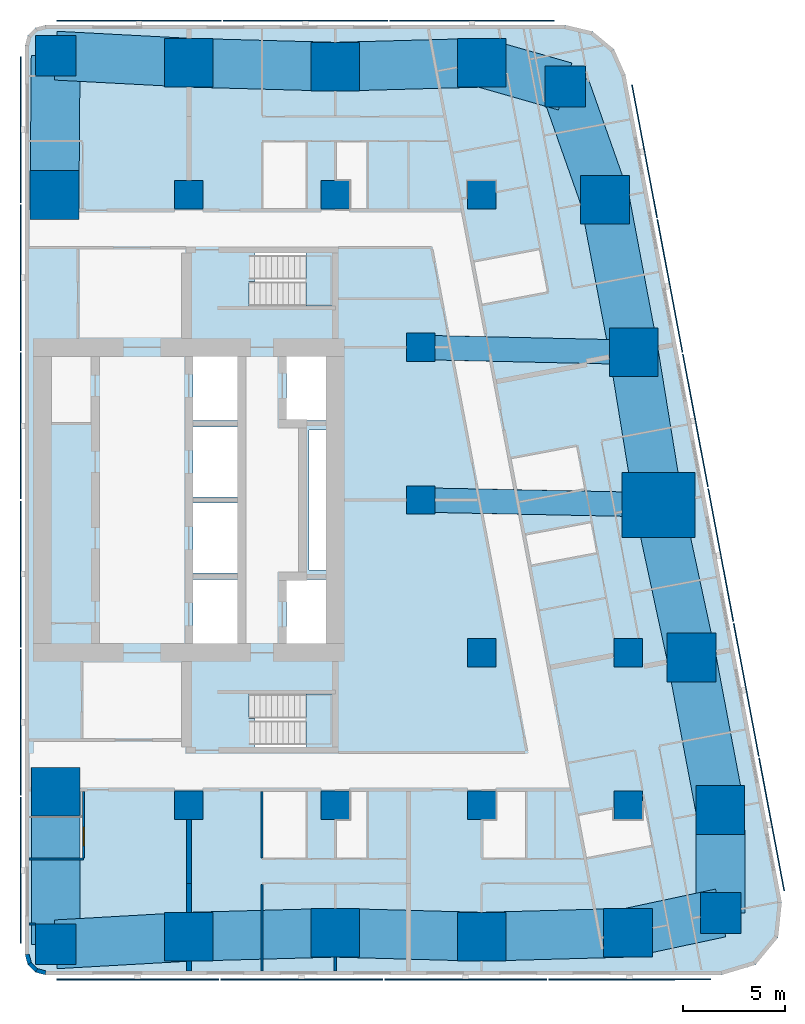
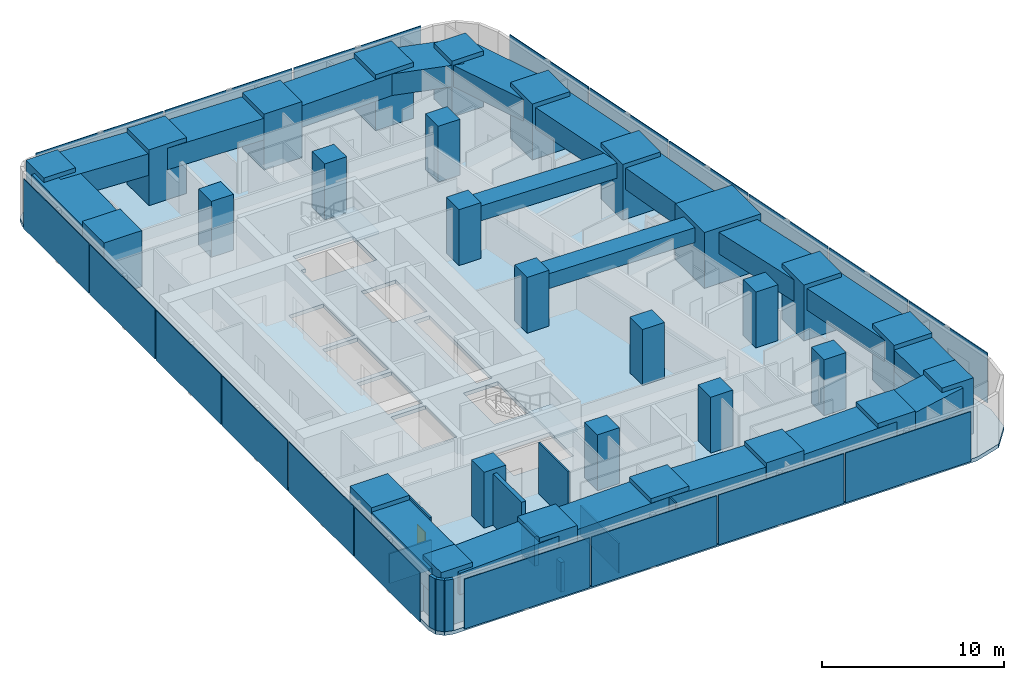
# One storey, part 1 of 10: 29 columns, 19 beams, 19 plates, 12 walls, 3 slabs, 1 door, 1 opening, 2 elements without a shape of their own.
"""IFC4 building model written with IfcOpenShell, lengths in metres."""

from ifc_helpers import new_model, si_unit, direction, frame, frame_2d, origin, origin_2d, place, context, subcontext, project, spatial, polyline, rectangle, outline, extrude, material, layer, layer_set, material_profile, profile_set, type_object, element, fill, aggregate, save


model = new_model("IFC4")

# Units and contexts
model_context = context("Model", 3, precision=1e-05, world=origin(), true_north=direction((0.0, 1.0)))
body_context = subcontext(model_context, "Body", "Model", "MODEL_VIEW")
ifc_project = project(units=[si_unit("LENGTHUNIT", "METRE"), si_unit("AREAUNIT", "SQUARE_METRE"), si_unit("VOLUMEUNIT", "CUBIC_METRE"), si_unit("PLANEANGLEUNIT", "RADIAN"), si_unit("MASSUNIT", "GRAM", prefix="KILO")], contexts=[model_context])

# Site, building, storey
site_placement = place(None, origin())
site = spatial("IfcSite", under=ifc_project, at=site_placement, CompositionType="ELEMENT")
building_placement = place(site_placement, origin())
building = spatial("IfcBuilding", under=site, at=building_placement, Name="Sheger Commons Tower", CompositionType="ELEMENT")
storey_placement = place(building_placement, frame((0.0, 0.0, 242.449951171875)))
storey = spatial("IfcBuildingStorey", under=building, at=storey_placement, Name="L62", CompositionType="ELEMENT", Elevation=242.449951171875)

# Columns
ifc_material_1 = material(Name="Concrete C50/60", Category="concrete")
ifc_material_profile_1 = material_profile(ifc_material_1, rectangle(XDim=3.60009765625, YDim=3.199951171875, at=origin_2d()), Name="RC 3600x3200")
ifc_profile_set_1 = profile_set([ifc_material_profile_1], Name="Concrete C50/60")
column_type_1 = type_object("IfcColumnType", Name="COLUMN PIER RC 3600x3200", PredefinedType="COLUMN", material=ifc_profile_set_1)
column_placement = place(storey_placement, frame((44.697021484375, 22.262939453125, 0.0), z_axis=(0.0, 0.0, 1.0), x_axis=(1.0, 0.0, 0.0)))
element("IfcColumn", 1, at=column_placement, inside=storey, type_object=column_type_1, Name="Pier 7/D+E/D L62", PredefinedType="COLUMN", context=body_context, shape_type="SweptSolid", body=[
    extrude(rectangle(XDim=3.60009765625, YDim=3.199951171875, at=origin_2d()), origin(), (0.0, 0.0, 1.0), 3.75),
])
ifc_material_2 = material(Name="Concrete C50/60", Category="concrete")
ifc_material_profile_2 = material_profile(ifc_material_2, rectangle(XDim=1.39990234375, YDim=1.39990234375, at=origin_2d()), Name="RC 1400x1400")
ifc_profile_set_2 = profile_set([ifc_material_profile_2], Name="Concrete C50/60")
column_type_2 = type_object("IfcColumnType", Name="COLUMN RC 1400x1400", PredefinedType="COLUMN", material=ifc_profile_set_2)
for number, where, z_axis, x_axis, name in (
    (2, (21.60009765625, 7.5, 0.0), (0.0, 0.0, 1.0), (1.0, 0.0, 0.0), "Column 4/B L62"),
    (3, (28.800048828125, 7.5, 0.0), (0.0, 0.0, 1.0), (1.0, 0.0, 0.0), "Column 5/B L62"),
    (4, (36.0, 7.5, 0.0), (0.0, 0.0, 1.0), (1.0, 0.0, 0.0), "Column 6/B L62"),
    (5, (43.199951171875, 7.5, 0.0), (0.0, 0.0, 1.0), (1.0, 0.0, 0.0), "Column 7/B L62"),
    (6, (36.0, 15.0, 0.0), (0.0, 0.0, 1.0), (1.0, 0.0, 0.0), "Column 6/C L62"),
    (7, (43.199951171875, 15.0, 0.0), (0.0, 0.0, 1.0), (1.0, 0.0, 0.0), "Column 7/C L62"),
    (8, (33.0, 22.5, 0.0), (0.0, 0.0, 1.0), (1.0, 0.0, 0.0), "Column 6-3000/D L62"),
    (9, (33.0, 30.0, 0.0), (0.0, 0.0, 1.0), (1.0, 0.0, 0.0), "Column 6-3000/E L62"),
    (10, (21.60009765625, 37.5, 0.0), (0.0, 0.0, 1.0), (1.0, 0.0, 0.0), "Column 4/F L62"),
    (11, (28.800048828125, 37.5, 0.0), (0.0, 0.0, 1.0), (1.0, 0.0, 0.0), "Column 5/F L62"),
    (12, (36.0, 37.5, 0.0), (0.0, 0.0, 1.0), (1.0, 0.0, 0.0), "Column 6/F L62"),
):
    element("IfcColumn", number, at=place(storey_placement, frame(where, z_axis=z_axis, x_axis=x_axis)), inside=storey, type_object=column_type_2, Name=name, PredefinedType="COLUMN", context=body_context, shape_type="SweptSolid", body=[
        extrude(rectangle(XDim=1.39990234375, YDim=1.39990234375, at=origin_2d()), origin(), (0.0, 0.0, 1.0), 3.75),
    ])
ifc_material_3 = material(Name="Concrete C50/60", Category="concrete")
ifc_material_profile_3 = material_profile(ifc_material_3, rectangle(XDim=2.0, YDim=2.0, at=origin_2d()), Name="RC 2000x2000")
ifc_profile_set_3 = profile_set([ifc_material_profile_3], Name="Concrete C50/60")
column_type_3 = type_object("IfcColumnType", Name="COLUMN RC 2000x2000", PredefinedType="COLUMN", material=ifc_profile_set_3)
for number, where, z_axis, x_axis, name in (
    (13, (15.053955078125, 0.654052734375, 0.0), (0.0, 0.0, 1.0), (1.0, 0.0, 0.0), "Column 3/A L62"),
    (14, (47.748046875, 2.197021484375, 0.0), (0.0, 0.0, 1.0), (1.0, 0.0, 0.0), "Column 49.461,0.778 L62"),
    (15, (40.10205078125, 42.830078125, 0.0), (0.0, 0.0, 1.0), (1.0, 0.0, 0.0), "Column 41.490,44.505 L62"),
    (16, (15.053955078125, 44.345947265625, 0.0), (0.0, 0.0, 1.0), (1.0, 0.0, 0.0), "Column 3/G L62"),
):
    element("IfcColumn", number, at=place(storey_placement, frame(where, z_axis=z_axis, x_axis=x_axis)), inside=storey, type_object=column_type_3, Name=name, PredefinedType="COLUMN", context=body_context, shape_type="SweptSolid", body=[
        extrude(rectangle(XDim=2.0, YDim=2.0, at=origin_2d()), origin(), (0.0, 0.0, 1.0), 3.75),
    ])
ifc_material_4 = material(Name="Concrete C50/60", Category="concrete")
ifc_material_profile_4 = material_profile(ifc_material_4, rectangle(XDim=2.39990234375, YDim=2.39990234375, at=origin_2d()), Name="RC 2400x2400")
ifc_profile_set_4 = profile_set([ifc_material_profile_4], Name="Concrete C50/60")
column_type_4 = type_object("IfcColumnType", Name="COLUMN RC 2400x2400", PredefinedType="COLUMN", material=ifc_profile_set_4)
for number, where, z_axis, x_axis, name in (
    (17, (21.60009765625, 1.02490234375, 0.0), (0.0, 0.0, 1.0), (1.0, 0.0, 0.0), "Column 4/A L62"),
    (18, (28.800048828125, 1.22509765625, 0.0), (0.0, 0.0, 1.0), (1.0, 0.0, 0.0), "Column 5/A L62"),
    (19, (36.0, 1.02490234375, 0.0), (0.0, 0.0, 1.0), (1.0, 0.0, 0.0), "Column 6/A L62"),
    (20, (43.199951171875, 1.22509765625, 0.0), (0.0, 0.0, 1.0), (1.0, 0.0, 0.0), "Column 7/A L62"),
    (21, (15.053955078125, 8.154052734375, 0.0), (0.0, 0.0, 1.0), (1.0, 0.0, 0.0), "Column 3/B L62"),
    (22, (47.72998046875, 7.262939453125, 0.0), (0.0, 0.0, 1.0), (1.0, 0.0, 0.0), "Column E/B L62"),
    (23, (46.31396484375, 14.762939453125, 0.0), (0.0, 0.0, 1.0), (1.0, 0.0, 0.0), "Column E/C L62"),
    (24, (43.47998046875, 29.762939453125, 0.0), (0.0, 0.0, 1.0), (1.0, 0.0, 0.0), "Column E/E L62"),
    (25, (15.0, 37.5, 0.0), (0.0, 0.0, 1.0), (1.0, 0.0, 0.0), "Column 3/F L62"),
    (26, (42.06396484375, 37.262939453125, 0.0), (0.0, 0.0, 1.0), (1.0, 0.0, 0.0), "Column E/F L62"),
    (27, (21.60009765625, 44.0, 0.0), (0.0, 0.0, 1.0), (1.0, 0.0, 0.0), "Column 4/G L62"),
    (28, (28.800048828125, 43.800048828125, 0.0), (0.0, 0.0, 1.0), (1.0, 0.0, 0.0), "Column 5/G L62"),
    (29, (36.0, 44.0, 0.0), (0.0, 0.0, 1.0), (1.0, 0.0, 0.0), "Column 6/G L62"),
):
    element("IfcColumn", number, at=place(storey_placement, frame(where, z_axis=z_axis, x_axis=x_axis)), inside=storey, type_object=column_type_4, Name=name, PredefinedType="COLUMN", context=body_context, shape_type="SweptSolid", body=[
        extrude(rectangle(XDim=2.39990234375, YDim=2.39990234375, at=origin_2d()), origin(), (0.0, 0.0, 1.0), 3.75),
    ])

# Beams
ifc_material_5 = material(Name="Concrete C50/60", Category="concrete")
ifc_material_profile_5 = material_profile(ifc_material_5, rectangle(XDim=1.199951171875, YDim=1.0, at=origin_2d()), Name="RC 1200x1000")
ifc_profile_set_5 = profile_set([ifc_material_profile_5], Name="Concrete C50/60")
beam_type_1 = type_object("IfcBeamType", Name="BEAM RC 1200x1000", PredefinedType="BEAM", material=ifc_profile_set_5)
beam_1_placement = place(storey_placement, frame((33.0, 22.5, 2.949951171875), z_axis=(0.999794692776, -0.02026258368, 0.0), x_axis=(0.02026258368, 0.999794692776, 0.0)))
element("IfcBeam", 30, at=beam_1_placement, inside=storey, type_object=beam_type_1, Name="Beam 6-3000/D-7/D under L63", PredefinedType="BEAM", context=body_context, shape_type="SweptSolid", body=[
    extrude(rectangle(XDim=1.199951171875, YDim=1.0, at=origin_2d()), origin(), (0.0, 0.0, 1.0), 11.699462890625),
])
beam_2_placement = place(storey_placement, frame((33.0, 30.0, 2.949951171875), z_axis=(0.999744258625, -0.022614538395, 0.0), x_axis=(0.022614538395, 0.999744258625, 0.0)))
element("IfcBeam", 31, at=beam_2_placement, inside=storey, type_object=beam_type_1, Name="Beam 6-3000/E-E/E under L63", PredefinedType="BEAM", context=body_context, shape_type="SweptSolid", body=[
    extrude(rectangle(XDim=1.199951171875, YDim=1.0, at=origin_2d()), origin(), (0.0, 0.0, 1.0), 10.482666015625),
])
ifc_material_6 = material(Name="Concrete C50/60", Category="concrete")
ifc_material_profile_6 = material_profile(ifc_material_6, rectangle(XDim=2.39990234375, YDim=1.449951171875, at=origin_2d()), Name="RC 2400x1450")
ifc_profile_set_6 = profile_set([ifc_material_profile_6], Name="Concrete C50/60")
beam_type_2 = type_object("IfcBeamType", Name="SPANDREL RC 2400x1450", PredefinedType="SPANDREL", material=ifc_profile_set_6)
beam_3_placement = place(storey_placement, frame((15.053955078125, 0.654052734375, 2.72509765625), z_axis=(0.998399149044, 0.056560933405, 0.0), x_axis=(-0.056560933405, 0.998399149044, 0.0)))
element("IfcBeam", 32, at=beam_3_placement, inside=storey, type_object=beam_type_2, Name="Beam 3/A-4/A under L63", PredefinedType="SPANDREL", context=body_context, shape_type="SweptSolid", body=[
    extrude(rectangle(XDim=2.39990234375, YDim=1.449951171875, at=origin_2d()), origin(), (0.0, 0.0, 1.0), 6.556640625),
])
for number, where, z_axis, x_axis, name in (
    (33, (21.60009765625, 1.02490234375, 2.72509765625), (0.9996136624, 0.027794350926, 0.0), (-0.027794350926, 0.9996136624, 0.0), "Beam 4/A-5/A under L63"),
    (34, (28.800048828125, 1.22509765625, 2.72509765625), (0.9996136624, -0.027794350926, 0.0), (0.027794350926, 0.9996136624, 0.0), "Beam 5/A-6/A under L63"),
    (35, (36.0, 1.02490234375, 2.72509765625), (0.9996136624, 0.027794350926, 0.0), (-0.027794350926, 0.9996136624, 0.0), "Beam 6/A-7/A under L63"),
):
    element("IfcBeam", number, at=place(storey_placement, frame(where, z_axis=z_axis, x_axis=x_axis)), inside=storey, type_object=beam_type_2, Name=name, PredefinedType="SPANDREL", context=body_context, shape_type="SweptSolid", body=[
        extrude(rectangle(XDim=2.39990234375, YDim=1.449951171875, at=origin_2d()), origin(), (0.0, 0.0, 1.0), 7.20263671875),
    ])
beam_4_placement = place(storey_placement, frame((43.199951171875, 1.22509765625, 2.72509765625), z_axis=(0.977919796671, 0.208980552394, 0.0), x_axis=(-0.208980552394, 0.977919796671, 0.0)))
element("IfcBeam", 36, at=beam_4_placement, inside=storey, type_object=beam_type_2, Name="Beam 7/A-49.461,0.778 under L63", PredefinedType="SPANDREL", context=body_context, shape_type="SweptSolid", body=[
    extrude(rectangle(XDim=2.39990234375, YDim=1.449951171875, at=origin_2d()), origin(), (0.0, 0.0, 1.0), 4.65087890625),
])
beam_5_placement = place(storey_placement, frame((47.748046875, 2.197021484375, 2.72509765625), z_axis=(-0.003566242382, 0.999993640937, 0.0), x_axis=(-0.999993640937, -0.003566242382, 0.0)))
element("IfcBeam", 37, at=beam_5_placement, inside=storey, type_object=beam_type_2, Name="Beam 49.461,0.778-E/B under L63", PredefinedType="SPANDREL", context=body_context, shape_type="SweptSolid", body=[
    extrude(rectangle(XDim=2.39990234375, YDim=1.449951171875, at=origin_2d()), origin(), (0.0, 0.0, 1.0), 5.06591796875),
])
beam_6_placement = place(storey_placement, frame((47.72998046875, 7.262939453125, 2.72509765625), z_axis=(-0.18552441405, 0.982639655108, 0.0), x_axis=(-0.982639655108, -0.18552441405, 0.0)))
element("IfcBeam", 38, at=beam_6_placement, inside=storey, type_object=beam_type_2, Name="Beam E/B-E/C under L63", PredefinedType="SPANDREL", context=body_context, shape_type="SweptSolid", body=[
    extrude(rectangle(XDim=2.39990234375, YDim=1.449951171875, at=origin_2d()), origin(), (0.0, 0.0, 1.0), 7.632568359375),
])
beam_7_placement = place(storey_placement, frame((46.31396484375, 14.762939453125, 2.72509765625), z_axis=(-0.210750229323, 0.977539943348, 0.0), x_axis=(-0.977539943348, -0.210750229323, 0.0)))
element("IfcBeam", 39, at=beam_7_placement, inside=storey, type_object=beam_type_2, Name="Beam E/C-E/D under L63", PredefinedType="SPANDREL", context=body_context, shape_type="SweptSolid", body=[
    extrude(rectangle(XDim=2.39990234375, YDim=1.449951171875, at=origin_2d()), origin(), (0.0, 0.0, 1.0), 7.67236328125),
])
beam_8_placement = place(storey_placement, frame((44.697021484375, 22.262939453125, 2.72509765625), z_axis=(-0.160176929512, 0.987088319884, 0.0), x_axis=(-0.987088319884, -0.160176929512, 0.0)))
element("IfcBeam", 40, at=beam_8_placement, inside=storey, type_object=beam_type_2, Name="Beam E/D-E/E under L63", PredefinedType="SPANDREL", context=body_context, shape_type="SweptSolid", body=[
    extrude(rectangle(XDim=2.39990234375, YDim=1.449951171875, at=origin_2d()), origin(), (0.0, 0.0, 1.0), 7.59814453125),
])
beam_9_placement = place(storey_placement, frame((43.47998046875, 29.762939453125, 2.72509765625), z_axis=(-0.18552441405, 0.982639655108, 0.0), x_axis=(-0.982639655108, -0.18552441405, 0.0)))
element("IfcBeam", 41, at=beam_9_placement, inside=storey, type_object=beam_type_2, Name="Beam E/E-E/F under L63", PredefinedType="SPANDREL", context=body_context, shape_type="SweptSolid", body=[
    extrude(rectangle(XDim=2.39990234375, YDim=1.449951171875, at=origin_2d()), origin(), (0.0, 0.0, 1.0), 7.632568359375),
])
beam_10_placement = place(storey_placement, frame((42.06396484375, 37.262939453125, 2.72509765625), z_axis=(-0.332374403357, 0.943147526102, 0.0), x_axis=(-0.943147526102, -0.332374403357, 0.0)))
element("IfcBeam", 42, at=beam_10_placement, inside=storey, type_object=beam_type_2, Name="Beam E/F-41.490,44.505 under L63", PredefinedType="SPANDREL", context=body_context, shape_type="SweptSolid", body=[
    extrude(rectangle(XDim=2.39990234375, YDim=1.449951171875, at=origin_2d()), origin(), (0.0, 0.0, 1.0), 5.90283203125),
])
beam_11_placement = place(storey_placement, frame((40.10205078125, 42.830078125, 2.72509765625), z_axis=(-0.961653428129, 0.274267541221, 0.0), x_axis=(-0.274267541221, -0.961653428129, 0.0)))
element("IfcBeam", 43, at=beam_11_placement, inside=storey, type_object=beam_type_2, Name="Beam 41.490,44.505-6/G under L63", PredefinedType="SPANDREL", context=body_context, shape_type="SweptSolid", body=[
    extrude(rectangle(XDim=2.39990234375, YDim=1.449951171875, at=origin_2d()), origin(), (0.0, 0.0, 1.0), 4.265625),
])
for number, where, z_axis, x_axis, name in (
    (44, (36.0, 44.0, 2.72509765625), (-0.999614603568, -0.027760481514, 0.0), (0.027760481514, -0.999614603568, 0.0), "Beam 6/G-5/G under L63"),
    (45, (28.800048828125, 43.800048828125, 2.72509765625), (-0.999614603568, 0.027760481514, 0.0), (-0.027760481514, -0.999614603568, 0.0), "Beam 5/G-4/G under L63"),
):
    element("IfcBeam", number, at=place(storey_placement, frame(where, z_axis=z_axis, x_axis=x_axis)), inside=storey, type_object=beam_type_2, Name=name, PredefinedType="SPANDREL", context=body_context, shape_type="SweptSolid", body=[
        extrude(rectangle(XDim=2.39990234375, YDim=1.449951171875, at=origin_2d()), origin(), (0.0, 0.0, 1.0), 7.20263671875),
    ])
beam_12_placement = place(storey_placement, frame((21.60009765625, 44.0, 2.72509765625), z_axis=(-0.998606489137, 0.052773855783, 0.0), x_axis=(-0.052773855783, -0.998606489137, 0.0)))
element("IfcBeam", 46, at=beam_12_placement, inside=storey, type_object=beam_type_2, Name="Beam 4/G-3/G under L63", PredefinedType="SPANDREL", context=body_context, shape_type="SweptSolid", body=[
    extrude(rectangle(XDim=2.39990234375, YDim=1.449951171875, at=origin_2d()), origin(), (0.0, 0.0, 1.0), 6.55517578125),
])
beam_13_placement = place(storey_placement, frame((15.053955078125, 44.345947265625, 2.72509765625), z_axis=(-0.00788107188, -0.999968943871, 0.0), x_axis=(0.999968943871, -0.00788107188, 0.0)))
element("IfcBeam", 47, at=beam_13_placement, inside=storey, type_object=beam_type_2, Name="Beam 3/G-3/F under L63", PredefinedType="SPANDREL", context=body_context, shape_type="SweptSolid", body=[
    extrude(rectangle(XDim=2.39990234375, YDim=1.449951171875, at=origin_2d()), origin(), (0.0, 0.0, 1.0), 6.84619140625),
])
beam_14_placement = place(storey_placement, frame((15.053955078125, 8.154052734375, 2.72509765625), z_axis=(0.0, -1.0, 0.0), x_axis=(1.0, 0.0, 0.0)))
element("IfcBeam", 48, at=beam_14_placement, inside=storey, type_object=beam_type_2, Name="Beam 3/B-3/A under L63", PredefinedType="SPANDREL", context=body_context, shape_type="SweptSolid", body=[
    extrude(rectangle(XDim=2.39990234375, YDim=1.449951171875, at=origin_2d()), origin(), (0.0, 0.0, 1.0), 7.5),
])

# Slab
ifc_material_7 = material(Name="Concrete C35/45", Category="concrete")
ifc_layer_1 = layer(ifc_material_7, 0.25)
ifc_layer_set_1 = layer_set([ifc_layer_1], Name="SLAB FLOOR 250")
slab_type_1 = type_object("IfcSlabType", Name="SLAB FLOOR 250", PredefinedType="FLOOR", material=ifc_layer_set_1)
slab_1_placement = place(storey_placement, frame((0.0, 0.0, -0.25)))
element("IfcSlab", 49, at=slab_1_placement, inside=storey, type_object=slab_type_1, Name="L62 floor slab", PredefinedType="FLOOR", context=body_context, shape_type="SweptSolid", body=[
    extrude(outline(polyline([(13.550048828125, 0.14990234375), (13.68408203125, -0.35009765625), (14.050048828125, -0.716064453125), (14.550048828125, -0.85009765625), (47.805908203125, -0.85009765625), (49.465087890625, -0.35009765625), (50.570068359375, 0.98388671875), (50.75390625, 2.70703125), (43.06591796875, 43.406982421875), (42.509033203125, 44.660888671875), (41.452880859375, 45.535888671875), (40.117919921875, 45.85009765625), (14.550048828125, 45.85009765625), (14.050048828125, 45.716064453125), (13.68408203125, 45.35009765625), (13.550048828125, 44.85009765625), (13.550048828125, 0.14990234375)]), holes=[polyline([(24.85009765625, 10.35009765625), (28.64990234375, 10.35009765625), (28.64990234375, 12.949951171875), (24.551025390625, 12.949951171875), (24.551025390625, 11.75), (24.85009765625, 11.75), (24.85009765625, 10.35009765625)]), polyline([(24.551025390625, 32.050048828125), (28.64990234375, 32.050048828125), (28.64990234375, 34.64990234375), (24.85009765625, 34.64990234375), (24.85009765625, 33.25), (24.551025390625, 33.25), (24.551025390625, 32.050048828125)]), polyline([(26.39990234375, 15.14990234375), (28.60009765625, 15.14990234375), (28.60009765625, 18.60009765625), (26.39990234375, 18.60009765625), (26.39990234375, 15.14990234375)]), polyline([(26.39990234375, 26.39990234375), (28.60009765625, 26.39990234375), (28.60009765625, 29.85009765625), (26.39990234375, 29.85009765625), (26.39990234375, 26.39990234375)]), polyline([(21.800048828125, 15.14990234375), (24.0, 15.14990234375), (24.0, 18.60009765625), (21.800048828125, 18.60009765625), (21.800048828125, 15.14990234375)]), polyline([(21.800048828125, 18.89990234375), (24.0, 18.89990234375), (24.0, 22.35009765625), (21.800048828125, 22.35009765625), (21.800048828125, 18.89990234375)]), polyline([(21.800048828125, 22.64990234375), (24.0, 22.64990234375), (24.0, 26.10009765625), (21.800048828125, 26.10009765625), (21.800048828125, 22.64990234375)]), polyline([(21.800048828125, 26.39990234375), (24.0, 26.39990234375), (24.0, 29.85009765625), (21.800048828125, 29.85009765625), (21.800048828125, 26.39990234375)]), polyline([(27.5, 19.050048828125), (28.5, 19.050048828125), (28.5, 25.949951171875), (27.5, 25.949951171875), (27.5, 19.050048828125)])]), origin(), (0.0, 0.0, 1.0), 0.25),
])

# Plates
ifc_material_8 = material(Name="Perforated black anodised aluminium screen", Category="aluminium")
ifc_layer_2 = layer(ifc_material_8, 0.050048828125)
ifc_layer_set_2 = layer_set([ifc_layer_2], Name="SOLAR SCREEN SCREEN-1")
plate_type = type_object("IfcPlateType", Name="SOLAR SCREEN SCREEN-1", PredefinedType="USERDEFINED", material=ifc_layer_set_2)
for number, where, z_axis, x_axis, name in (
    (50, (19.08203125, -1.074951171875, 0.050048828125), (0.0, 0.0, 1.0), (1.0, 0.0, 0.0), "Perforated solar screen panel"),
    (51, (27.14599609375, -1.074951171875, 0.050048828125), (0.0, 0.0, 1.0), (1.0, 0.0, 0.0), "Perforated solar screen panel"),
    (52, (35.2099609375, -1.074951171875, 0.050048828125), (0.0, 0.0, 1.0), (1.0, 0.0, 0.0), "Perforated solar screen panel"),
    (53, (43.27392578125, -1.074951171875, 0.050048828125), (0.0, 0.0, 1.0), (1.0, 0.0, 0.0), "Perforated solar screen panel"),
):
    element("IfcPlate", number, at=place(storey_placement, frame(where, z_axis=z_axis, x_axis=x_axis)), inside=storey, type_object=plate_type, Name=name, ObjectType="SCREEN", PredefinedType="USERDEFINED", context=body_context, shape_type="SweptSolid", body=[
        extrude(rectangle(XDim=7.964111328125, YDim=0.050048828125, at=origin_2d()), origin(), (0.0, 0.0, 1.0), 3.35009765625),
    ])
for number, where, z_axis, x_axis, name in (
    (54, (50.257080078125, 6.550048828125, 0.050048828125), (0.0, 0.0, 1.0), (-0.185615165645, 0.982622516678, 0.0), "Perforated solar screen panel"),
    (55, (49.007080078125, 13.1689453125, 0.050048828125), (0.0, 0.0, 1.0), (-0.185615165645, 0.982622516678, 0.0), "Perforated solar screen panel"),
    (56, (47.756103515625, 19.7890625, 0.050048828125), (0.0, 0.0, 1.0), (-0.185615165645, 0.982622516678, 0.0), "Perforated solar screen panel"),
    (57, (46.506103515625, 26.408935546875, 0.050048828125), (0.0, 0.0, 1.0), (-0.185615165645, 0.982622516678, 0.0), "Perforated solar screen panel"),
    (58, (45.2548828125, 33.028076171875, 0.050048828125), (0.0, 0.0, 1.0), (-0.185615165645, 0.982622516678, 0.0), "Perforated solar screen panel"),
    (59, (44.0048828125, 39.64794921875, 0.050048828125), (0.0, 0.0, 1.0), (-0.185615165645, 0.982622516678, 0.0), "Perforated solar screen panel"),
):
    element("IfcPlate", number, at=place(storey_placement, frame(where, z_axis=z_axis, x_axis=x_axis)), inside=storey, type_object=plate_type, Name=name, ObjectType="SCREEN", PredefinedType="USERDEFINED", context=body_context, shape_type="SweptSolid", body=[
        extrude(rectangle(XDim=6.636962890625, YDim=0.050048828125, at=origin_2d()), origin(), (0.0, 0.0, 1.0), 3.35009765625),
    ])
for number, where, z_axis, x_axis, name in (
    (60, (35.52294921875, 46.074951171875, 0.050048828125), (0.0, 0.0, 1.0), (-1.0, 0.0, 0.0), "Perforated solar screen panel"),
    (61, (27.333984375, 46.074951171875, 0.050048828125), (0.0, 0.0, 1.0), (-1.0, 0.0, 0.0), "Perforated solar screen panel"),
    (62, (19.14501953125, 46.074951171875, 0.050048828125), (0.0, 0.0, 1.0), (-1.0, 0.0, 0.0), "Perforated solar screen panel"),
):
    element("IfcPlate", number, at=place(storey_placement, frame(where, z_axis=z_axis, x_axis=x_axis)), inside=storey, type_object=plate_type, Name=name, ObjectType="SCREEN", PredefinedType="USERDEFINED", context=body_context, shape_type="SweptSolid", body=[
        extrude(rectangle(XDim=8.089111328125, YDim=0.050048828125, at=origin_2d()), origin(), (0.0, 0.0, 1.0), 3.35009765625),
    ])
for number, where, z_axis, x_axis, name in (
    (63, (13.324951171875, 40.7080078125, 0.050048828125), (0.0, 0.0, 1.0), (0.0, -1.0, 0.0), "Perforated solar screen panel"),
    (64, (13.324951171875, 33.425048828125, 0.050048828125), (0.0, 0.0, 1.0), (0.0, -1.0, 0.0), "Perforated solar screen panel"),
    (65, (13.324951171875, 26.14208984375, 0.050048828125), (0.0, 0.0, 1.0), (0.0, -1.0, 0.0), "Perforated solar screen panel"),
    (66, (13.324951171875, 18.85791015625, 0.050048828125), (0.0, 0.0, 1.0), (0.0, -1.0, 0.0), "Perforated solar screen panel"),
    (67, (13.324951171875, 11.574951171875, 0.050048828125), (0.0, 0.0, 1.0), (0.0, -1.0, 0.0), "Perforated solar screen panel"),
    (68, (13.324951171875, 4.2919921875, 0.050048828125), (0.0, 0.0, 1.0), (0.0, -1.0, 0.0), "Perforated solar screen panel"),
):
    element("IfcPlate", number, at=place(storey_placement, frame(where, z_axis=z_axis, x_axis=x_axis)), inside=storey, type_object=plate_type, Name=name, ObjectType="SCREEN", PredefinedType="USERDEFINED", context=body_context, shape_type="SweptSolid", body=[
        extrude(rectangle(XDim=7.18310546875, YDim=0.050048828125, at=origin_2d()), origin(), (0.0, 0.0, 1.0), 3.35009765625),
    ])

# Stair, slab
ifc_material_9 = material(Name="Concrete C35/45", Category="concrete")
stair_type = type_object("IfcStairType", Name="HALF-TURN STAIR 1200 RISE 3750", PredefinedType="HALF_TURN_STAIR", material=ifc_material_9)
stair_1_placement = place(storey_placement, origin())
stair_1 = element("IfcStair", 69, at=stair_1_placement, inside=storey, type_object=stair_type, Name="Stair S1 L62", PredefinedType="HALF_TURN_STAIR")
ifc_material_10 = material(Name="Concrete C35/45", Category="concrete")
ifc_layer_3 = layer(ifc_material_10, 0.199951171875)
ifc_layer_set_3 = layer_set([ifc_layer_3], Name="STAIR LANDING 200")
slab_type_2 = type_object("IfcSlabType", Name="STAIR LANDING 200", PredefinedType="LANDING", material=ifc_layer_set_3)
slab_2_placement = place(storey_placement, frame((0.0, 0.0, 1.675048828125)))
slab_2 = element("IfcSlab", 70, at=slab_2_placement, type_object=slab_type_2, Name="S1 landing 1", PredefinedType="LANDING", context=body_context, shape_type="SweptSolid", body=[
    extrude(outline(polyline([(27.35009765625, 10.199951171875), (28.800048828125, 10.199951171875), (28.800048828125, 12.949951171875), (27.35009765625, 12.949951171875), (27.35009765625, 10.199951171875)])), origin(), (0.0, 0.0, 1.0), 0.199951171875),
])
aggregate(stair_1, [slab_2])

stair_2_placement = place(storey_placement, origin())
stair_2 = element("IfcStair", 71, at=stair_2_placement, inside=storey, type_object=stair_type, Name="Stair S2 L62", PredefinedType="HALF_TURN_STAIR")
slab_3_placement = place(storey_placement, frame((0.0, 0.0, 1.675048828125)))
slab_3 = element("IfcSlab", 72, at=slab_3_placement, type_object=slab_type_2, Name="S2 landing 1", PredefinedType="LANDING", context=body_context, shape_type="SweptSolid", body=[
    extrude(outline(polyline([(27.35009765625, 32.050048828125), (28.800048828125, 32.050048828125), (28.800048828125, 34.800048828125), (27.35009765625, 34.800048828125), (27.35009765625, 32.050048828125)])), origin(), (0.0, 0.0, 1.0), 0.199951171875),
])
aggregate(stair_2, [slab_3])

# Walls
ifc_material_11 = material(Name="Dense concrete block masonry, plastered both sides (separating wall between flats)", Category="masonry")
ifc_layer_4 = layer(ifc_material_11, 0.25)
ifc_layer_set_4 = layer_set([ifc_layer_4], Name="DEMISING WALL 250")
wall_type_1 = type_object("IfcWallType", Name="DEMISING WALL 250", PredefinedType="SOLIDWALL", material=ifc_layer_set_4)
wall_1_placement = place(storey_placement, frame((21.60009765625, -0.64990234375, 0.0), z_axis=(0.0, 0.0, 1.0), x_axis=(0.0, 1.0, 0.0)))
element("IfcWall", 73, at=wall_1_placement, inside=storey, type_object=wall_type_1, Name="Demising wall L62", PredefinedType="SOLIDWALL", context=body_context, shape_type="SweptSolid", body=[
    extrude(rectangle(XDim=0.473876953125, YDim=0.25, at=frame_2d((0.23681640625, 0.0))), origin(), (0.0, 0.0, 1.0), 2.0),
])
wall_2_placement = place(storey_placement, frame((21.60009765625, 2.22607421875, 0.0), z_axis=(0.0, 0.0, 1.0), x_axis=(0.0, 1.0, 0.0)))
element("IfcWall", 74, at=wall_2_placement, inside=storey, type_object=wall_type_1, Name="Demising wall L62", PredefinedType="SOLIDWALL", context=body_context, shape_type="SweptSolid", body=[
    extrude(rectangle(XDim=1.423828125, YDim=0.25, at=frame_2d((0.7119140625, 0.0))), origin(), (0.0, 0.0, 1.0), 2.0),
])
wall_3_placement = place(storey_placement, frame((21.60009765625, 3.64990234375, 0.0), z_axis=(0.0, 0.0, 1.0), x_axis=(0.0, 1.0, 0.0)))
element("IfcWall", 75, at=wall_3_placement, inside=storey, type_object=wall_type_1, Name="Demising wall L62", PredefinedType="SOLIDWALL", context=body_context, shape_type="SweptSolid", body=[
    extrude(rectangle(XDim=3.149169921875, YDim=0.25, at=frame_2d((1.57470703125, 0.0))), origin(), (0.0, 0.0, 1.0), 3.449951171875),
])
ifc_material_12 = material(Name="Rendered concrete block masonry, dark grey", Category="masonry")
ifc_layer_5 = layer(ifc_material_12, 0.199951171875)
ifc_layer_set_5 = layer_set([ifc_layer_5], Name="FACADE WALL 200")
wall_type_2 = type_object("IfcWallType", Name="FACADE WALL 200", PredefinedType="SOLIDWALL", material=ifc_layer_set_5)
wall_4_placement = place(storey_placement, frame((13.64990234375, 0.1630859375, 0.0), z_axis=(0.0, 0.0, 1.0), x_axis=(0.259698463175, -0.965689757751, 0.0)))
element("IfcWall", 76, at=wall_4_placement, inside=storey, type_object=wall_type_2, Name="Facade wall L62", PredefinedType="SOLIDWALL", context=body_context, shape_type="SweptSolid", body=[
    extrude(rectangle(XDim=0.4775390625, YDim=0.199951171875, at=frame_2d((0.23876953125, 0.0))), origin(), (0.0, 0.0, 1.0), 3.449951171875),
])
wall_5_placement = place(storey_placement, frame((13.77392578125, -0.298095703125, 0.0), z_axis=(0.0, 0.0, 1.0), x_axis=(0.707369890659, -0.706843573776, 0.0)))
element("IfcWall", 77, at=wall_5_placement, inside=storey, type_object=wall_type_2, Name="Facade wall L62", PredefinedType="SOLIDWALL", context=body_context, shape_type="SweptSolid", body=[
    extrude(rectangle(XDim=0.4638671875, YDim=0.199951171875, at=frame_2d((0.23193359375, 0.0))), origin(), (0.0, 0.0, 1.0), 3.449951171875),
])
wall_6_placement = place(storey_placement, frame((14.10205078125, -0.6259765625, 0.0), z_axis=(0.0, 0.0, 1.0), x_axis=(0.965655254015, -0.259826731483, 0.0)))
element("IfcWall", 78, at=wall_6_placement, inside=storey, type_object=wall_type_2, Name="Facade wall L62", PredefinedType="SOLIDWALL", context=body_context, shape_type="SweptSolid", body=[
    extrude(rectangle(XDim=0.477294921875, YDim=0.199951171875, at=frame_2d((0.23876953125, 0.0))), origin(), (0.0, 0.0, 1.0), 3.449951171875),
])
ifc_material_13 = material(Name="Gypsum board on steel studs", Category="steel")
ifc_layer_6 = layer(ifc_material_13, 0.10009765625)
ifc_layer_set_6 = layer_set([ifc_layer_6], Name="PARTITION 100")
wall_type_3 = type_object("IfcWallType", Name="PARTITION 100", PredefinedType="PARTITIONING", material=ifc_layer_set_6)
wall_7_placement = place(storey_placement, frame((13.75, 1.654052734375, 0.0), z_axis=(0.0, 0.0, 1.0), x_axis=(1.0, 0.0, 0.0)))
element("IfcWall", 79, at=wall_7_placement, inside=storey, type_object=wall_type_3, Name="Partition L62", PredefinedType="PARTITIONING", context=body_context, shape_type="SweptSolid", body=[
    extrude(rectangle(XDim=0.303955078125, YDim=0.10009765625, at=frame_2d((0.15185546875, 0.0))), origin(), (0.0, 0.0, 1.0), 2.0),
])
wall_8_placement = place(storey_placement, frame((16.428955078125, 4.85009765625, 0.0), z_axis=(0.0, 0.0, 1.0), x_axis=(-1.0, 0.0, 0.0)))
element("IfcWall", 80, at=wall_8_placement, inside=storey, type_object=wall_type_3, Name="Partition L62", PredefinedType="PARTITIONING", context=body_context, shape_type="SweptSolid", body=[
    extrude(rectangle(XDim=2.678955078125, YDim=0.10009765625, at=frame_2d((1.33935546875, 0.0))), origin(), (0.0, 0.0, 1.0), 2.0),
])

# Wall, opening, door
wall_9_placement = place(storey_placement, frame((16.428955078125, 4.89990234375, 0.0), z_axis=(0.0, 0.0, 1.0), x_axis=(0.0, 1.0, 0.0)))
wall_9 = element("IfcWall", 81, at=wall_9_placement, inside=storey, type_object=wall_type_3, Name="Partition L62", PredefinedType="PARTITIONING", context=body_context, shape_type="SweptSolid", body=[
    extrude(rectangle(XDim=3.275146484375, YDim=0.10009765625, at=frame_2d((1.6376953125, 0.0))), origin(), (0.0, 0.0, 1.0), 3.449951171875),
])
opening_placement = place(wall_9_placement, frame((0.60009765625, 0.0, 0.0)))
opening = element("IfcOpeningElement", 82, at=opening_placement, cuts=wall_9, Name="Opening D2", PredefinedType="OPENING", context=body_context, shape_type="SweptSolid", body=[
    extrude(rectangle(XDim=0.89990234375, YDim=2.10009765625, at=frame_2d((0.449951171875, 1.050048828125))), frame((0.0, 0.06005859375, 0.0), z_axis=(0.0, -1.0, 0.0), x_axis=(1.0, 0.0, 0.0)), (0.0, 0.0, 1.0), 0.1201171875),
])
ifc_material_14 = material(Name="Timber door set", Category="wood")
door_type = type_object("IfcDoorType", Name="INTERNAL DOOR 900x2100", OperationType="NOTDEFINED", PredefinedType="DOOR", material=ifc_material_14)
door_placement = place(opening_placement, origin())
door = element("IfcDoor", 83, at=door_placement, inside=storey, type_object=door_type, Name="Shower room door", OperationType="SINGLE_SWING_RIGHT", OverallHeight=2.10009765625, OverallWidth=0.89990234375, PredefinedType="DOOR", context=body_context, shape_type="SweptSolid", body=[
    extrude(rectangle(XDim=0.89990234375, YDim=2.10009765625, at=frame_2d((0.449951171875, 1.050048828125))), frame((0.0, 0.02490234375, 0.0), z_axis=(0.0, -1.0, 0.0), x_axis=(1.0, 0.0, 0.0)), (0.0, 0.0, 1.0), 0.050048828125),
])
fill(opening, door)

# Walls
wall_10_placement = place(storey_placement, frame((25.199951171875, -0.64990234375, 0.0), z_axis=(0.0, 0.0, 1.0), x_axis=(0.0, 1.0, 0.0)))
element("IfcWall", 84, at=wall_10_placement, inside=storey, type_object=wall_type_3, Name="Partition L62", PredefinedType="PARTITIONING", context=body_context, shape_type="SweptSolid", body=[
    extrude(rectangle(XDim=4.25, YDim=0.10009765625, at=frame_2d((2.125, 0.0))), origin(), (0.0, 0.0, 1.0), 2.0),
])
wall_11_placement = place(storey_placement, frame((28.800048828125, -0.64990234375, 0.0), z_axis=(0.0, 0.0, 1.0), x_axis=(0.0, 1.0, 0.0)))
element("IfcWall", 85, at=wall_11_placement, inside=storey, type_object=wall_type_3, Name="Partition L62", PredefinedType="PARTITIONING", context=body_context, shape_type="SweptSolid", body=[
    extrude(rectangle(XDim=0.673828125, YDim=0.10009765625, at=frame_2d((0.3369140625, 0.0))), origin(), (0.0, 0.0, 1.0), 3.449951171875),
])
wall_12_placement = place(storey_placement, frame((25.199951171875, 4.89990234375, 0.0), z_axis=(0.0, 0.0, 1.0), x_axis=(0.0, 1.0, 0.0)))
element("IfcWall", 86, at=wall_12_placement, inside=storey, type_object=wall_type_3, Name="Partition L62", PredefinedType="PARTITIONING", context=body_context, shape_type="SweptSolid", body=[
    extrude(rectangle(XDim=3.275146484375, YDim=0.10009765625, at=frame_2d((1.6376953125, 0.0))), origin(), (0.0, 0.0, 1.0), 3.449951171875),
])

save(model, "model.ifc")
